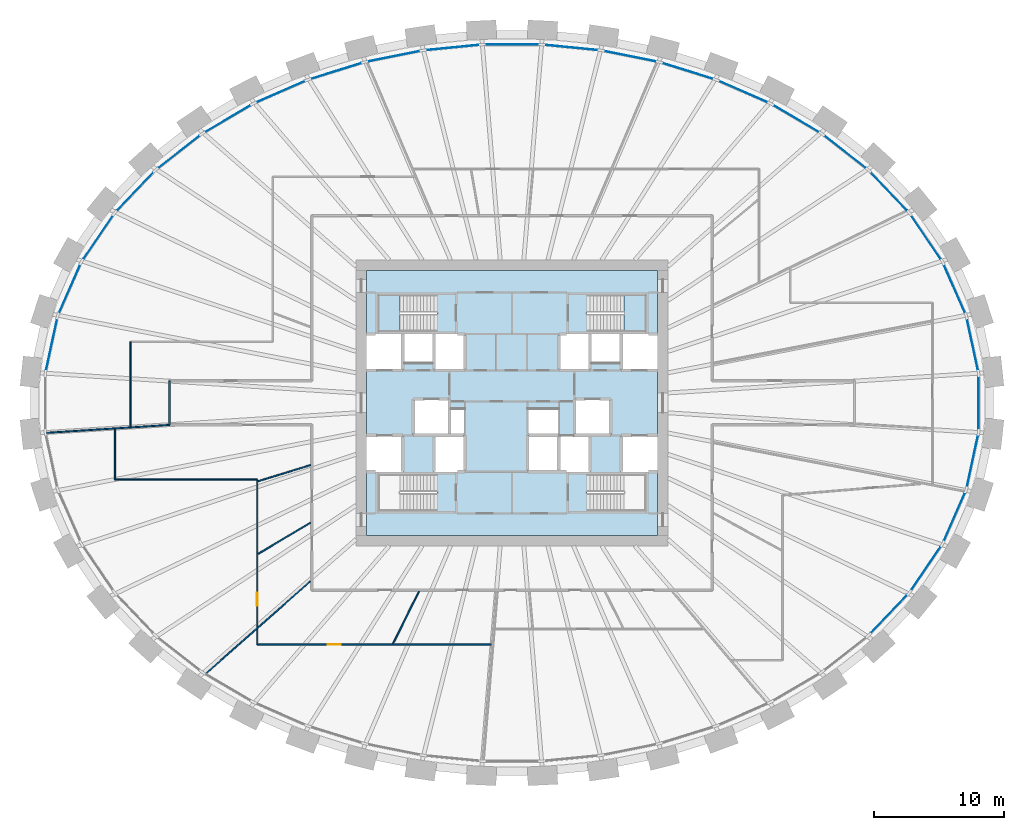
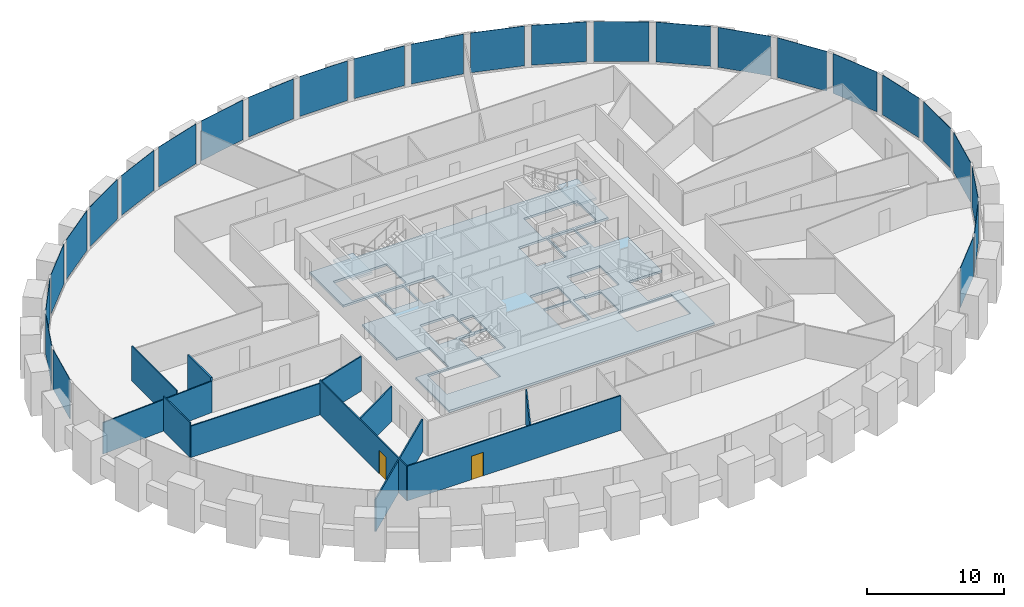
# One storey, part 5 of 10: 26 plates, 11 walls, 3 slabs, 2 doors, 2 openings, 3 elements without a shape of their own.
"""IFC4 building model written with IfcOpenShell, lengths in metres."""

import ifcopenshell
import ifcopenshell.guid

model = None  # the IFC model being written
_history = None  # IfcOwnerHistory: only IFC2X3 demands one
_inside = {}  # id of a spatial element -> (the spatial element, [elements in it])
_under = {}  # id of a project, library or spatial element -> (it, [spatial elements below it])
_declared = {}  # id of a project -> (the project, [libraries it declares])
_typed = {}  # id of a type object -> (the type object, [elements of that type])
_made_of = {}  # id of a material, layer set ... -> (it, [elements and type objects made of it])


def new_model(schema):
    """Start an empty IFC model of exactly this schema.

    Asked for "IFC4X3", IfcOpenShell would pick the latest addendum, in which some entities
    have other attributes; the version numbers below select the first issue.
    IFC2X3 requires an IfcOwnerHistory on every rooted entity: one is made here for all.
    """
    global model, _history
    if schema == "IFC4X3":
        model = ifcopenshell.file(schema_version=(4, 3, 0, 0))
    else:
        model = ifcopenshell.file(schema=schema)
    _inside.clear()
    _under.clear()
    _declared.clear()
    _typed.clear()
    _made_of.clear()
    _history = None
    if model.schema == "IFC2X3":
        org = make("IfcOrganization", Name="unknown")
        user = make(
            "IfcPersonAndOrganization",
            ThePerson=make("IfcPerson", FamilyName="unknown"),
            TheOrganization=org,
        )
        app = make(
            "IfcApplication",
            ApplicationDeveloper=org,
            Version="unknown",
            ApplicationFullName="unknown",
            ApplicationIdentifier="unknown",
        )
        _history = make(
            "IfcOwnerHistory",
            OwningUser=user,
            OwningApplication=app,
            ChangeAction="ADDED",
            CreationDate=0,
        )
    return model


def make(cls, **values):
    """One entity of the class cls with the attributes given. An attribute that is None is left unset."""
    return model.create_entity(
        cls, **{name: value for name, value in values.items() if value is not None}
    )


def rooted(cls, **values):
    """An entity with a GlobalId (a new one), such as an element, a storey or a relation."""
    return make(cls, GlobalId=ifcopenshell.guid.new(), OwnerHistory=_history, **values)


def si_unit(unit_type, name, prefix=None):
    """IfcSIUnit, for example si_unit("LENGTHUNIT", "METRE", prefix="MILLI")."""
    return make("IfcSIUnit", UnitType=unit_type, Prefix=prefix, Name=name)


def assignment(units):
    """IfcUnitAssignment: the units of a project."""
    return None if units is None else make("IfcUnitAssignment", Units=units)


def point(xyz):
    """IfcCartesianPoint."""
    return None if xyz is None else make("IfcCartesianPoint", Coordinates=xyz)


def direction(xyz):
    """IfcDirection."""
    return None if xyz is None else make("IfcDirection", DirectionRatios=xyz)


def frame(location, z_axis=None, x_axis=None):
    """IfcAxis2Placement3D, a coordinate frame: its origin and axes. An axis left out is left unset."""
    return make(
        "IfcAxis2Placement3D",
        Location=point(location),
        Axis=direction(z_axis),
        RefDirection=direction(x_axis),
    )


def frame_2d(location, x_axis=None):
    """IfcAxis2Placement2D, a coordinate frame in the plane: its origin and x axis."""
    return make(
        "IfcAxis2Placement2D", Location=point(location), RefDirection=direction(x_axis)
    )


def origin():
    """The frame at (0, 0, 0) with its axes left unset."""
    return frame((0.0, 0.0, 0.0))


def origin_2d():
    """The frame at (0, 0) in the plane with its x axis left unset."""
    return frame_2d((0.0, 0.0))


def place(relative_to, where):
    """IfcLocalPlacement: puts the frame where relative to a parent placement (None: the world)."""
    return make(
        "IfcLocalPlacement", PlacementRelTo=relative_to, RelativePlacement=where
    )


def context(
    kind, dimensions, precision=None, world=None, true_north=None, identifier=None
):
    """IfcGeometricRepresentationContext, for example the 3D "Model" context."""
    return make(
        "IfcGeometricRepresentationContext",
        ContextIdentifier=identifier,
        ContextType=kind,
        CoordinateSpaceDimension=dimensions,
        Precision=precision,
        WorldCoordinateSystem=world,
        TrueNorth=true_north,
    )


def subcontext(parent, identifier, kind, view, scale=None):
    """IfcGeometricRepresentationSubContext, for example "Body" below "Model"."""
    return make(
        "IfcGeometricRepresentationSubContext",
        ContextIdentifier=identifier,
        ContextType=kind,
        ParentContext=parent,
        TargetScale=scale,
        TargetView=view,
    )


def project(units=None, contexts=None):
    """IfcProject with its units and contexts."""
    return rooted(
        "IfcProject",
        Name="project",
        RepresentationContexts=contexts,
        UnitsInContext=assignment(units),
    )


def spatial(cls, under=None, at=None, **own):
    """A site, building, storey or space (cls), placed at a placement, below another one or the project."""
    s = rooted(cls, ObjectPlacement=at, **own)
    if under is not None:
        _under.setdefault(under.id(), (under, []))[1].append(s)
    return s


def polyline(points):
    """IfcPolyline through the points."""
    return make("IfcPolyline", Points=[point(p) for p in points])


def profile(cls, at=None, kind="AREA", **sizes):
    """A parametric profile (cls). Its sizes go by their IFC names, for example OverallWidth=200.0."""
    return make(cls, ProfileType=kind, Position=at, **sizes)


def rectangle(**sizes):
    """IfcRectangleProfileDef."""
    return profile("IfcRectangleProfileDef", **sizes)


def outline(outer, holes=None, kind="AREA"):
    """IfcArbitraryClosedProfileDef: a profile drawn as a closed curve; with holes, ...WithVoids."""
    if holes is None:
        return make("IfcArbitraryClosedProfileDef", ProfileType=kind, OuterCurve=outer)
    return make(
        "IfcArbitraryProfileDefWithVoids",
        ProfileType=kind,
        OuterCurve=outer,
        InnerCurves=holes,
    )


def extrude(swept, where, along, depth):
    """IfcExtrudedAreaSolid: the profile swept, set in the frame where, extruded along a direction by depth."""
    return make(
        "IfcExtrudedAreaSolid",
        SweptArea=swept,
        Position=where,
        ExtrudedDirection=direction(along),
        Depth=depth,
    )


def shape(context_of_items, identifier, shape_type, items):
    """IfcShapeRepresentation: the items that make up one representation, for example the "Body"."""
    return make(
        "IfcShapeRepresentation",
        ContextOfItems=context_of_items,
        RepresentationIdentifier=identifier,
        RepresentationType=shape_type,
        Items=items,
    )


def source(mapping_origin, context_of_items, identifier, shape_type, items):
    """IfcRepresentationMap: a shape defined once, which mapped items show again and again."""
    return make(
        "IfcRepresentationMap",
        MappingOrigin=mapping_origin,
        MappedRepresentation=shape(context_of_items, identifier, shape_type, items),
    )


def transform(
    local_origin,
    x_axis=None,
    y_axis=None,
    z_axis=None,
    scale=None,
    scale2=None,
    scale3=None,
    uniform=True,
):
    """IfcCartesianTransformationOperator3D, or its non-uniform kind. x_axis, y_axis, z_axis: its Axis1, 2, 3."""
    if uniform:
        return make(
            "IfcCartesianTransformationOperator3D",
            Axis1=direction(x_axis),
            Axis2=direction(y_axis),
            LocalOrigin=point(local_origin),
            Scale=scale,
            Axis3=direction(z_axis),
        )
    return make(
        "IfcCartesianTransformationOperator3DnonUniform",
        Axis1=direction(x_axis),
        Axis2=direction(y_axis),
        LocalOrigin=point(local_origin),
        Scale=scale,
        Axis3=direction(z_axis),
        Scale2=scale2,
        Scale3=scale3,
    )


def mapped(mapping_source, mapping_target):
    """IfcMappedItem: shows the shape of a source again, moved by a transform."""
    return make(
        "IfcMappedItem", MappingSource=mapping_source, MappingTarget=mapping_target
    )


def material(Name=None, Category=None):
    """IfcMaterial."""
    return make("IfcMaterial", Name=Name, Category=Category)


def layer(
    of_material, thickness, ventilated=None, Name=None, Category=None, Priority=None
):
    """IfcMaterialLayer: one layer of a wall or slab, of a material (None: an air gap)."""
    return make(
        "IfcMaterialLayer",
        Material=of_material,
        LayerThickness=thickness,
        IsVentilated=ventilated,
        Name=Name,
        Category=Category,
        Priority=Priority,
    )


def layer_set(layers, Name=None):
    """IfcMaterialLayerSet."""
    return make("IfcMaterialLayerSet", MaterialLayers=layers, LayerSetName=Name)


def made_of(thing, what):
    """Note that an element or type object is made of a material, layer set ...; save() writes the relation."""
    if what is not None:
        _made_of.setdefault(what.id(), (what, []))[1].append(thing)
    return thing


def type_object(cls, material=None, **own):
    """A type object (cls), such as IfcWallType, which elements share."""
    return made_of(rooted(cls, **own), material)


def element(
    cls,
    number,
    at=None,
    inside=None,
    cuts=None,
    type_object=None,
    material=None,
    context=None,
    identifier="Body",
    shape_type=None,
    held_by="IfcProductDefinitionShape",
    body=None,
    shapes=None,
    **own,
):
    """One element of the class cls, such as IfcWall. Its Tag is "e" and its number.

    at: its placement. inside: the storey or other place that contains it. cuts: it is an
    opening in that element (IfcRelVoidsElement). A single representation is given by context,
    identifier, shape_type and body (its items); several are given by shapes. held_by: the class
    of the entity that holds the representations. save() writes the other relations.
    """
    e = rooted(cls, Tag="e%d" % number, ObjectPlacement=at, **own)
    if body is not None:
        shapes = [shape(context, identifier, shape_type, body)]
    if shapes is not None:
        e.Representation = make(held_by, Representations=shapes)
    if inside is not None:
        _inside.setdefault(inside.id(), (inside, []))[1].append(e)
    if cuts is not None:
        rooted(
            "IfcRelVoidsElement", RelatingBuildingElement=cuts, RelatedOpeningElement=e
        )
    if type_object is not None:
        _typed.setdefault(type_object.id(), (type_object, []))[1].append(e)
    return made_of(e, material)


def fill(opening, filler):
    """IfcRelFillsElement: the door or window that sits in an opening."""
    return rooted(
        "IfcRelFillsElement",
        RelatingOpeningElement=opening,
        RelatedBuildingElement=filler,
    )


def aggregate(whole, parts):
    """IfcRelAggregates: a whole, such as a stair, and the parts it consists of."""
    return rooted("IfcRelAggregates", RelatingObject=whole, RelatedObjects=parts)


def save(model, path):
    """Write the relations noted so far, then the file.

    IfcRelAggregates (storeys below a building ...), IfcRelContainedInSpatialStructure (elements
    in a storey), IfcRelDefinesByType, IfcRelAssociatesMaterial and IfcRelDeclares: one each for
    every whole, place, type object, material and project.
    """
    for whole, parts in _under.values():
        aggregate(whole, parts)
    for where, things in _inside.values():
        rooted(
            "IfcRelContainedInSpatialStructure",
            RelatedElements=things,
            RelatingStructure=where,
        )
    for kind, things in _typed.values():
        rooted("IfcRelDefinesByType", RelatedObjects=things, RelatingType=kind)
    for what, things in _made_of.values():
        rooted("IfcRelAssociatesMaterial", RelatedObjects=things, RelatingMaterial=what)
    for by, libraries in _declared.values():
        rooted("IfcRelDeclares", RelatingContext=by, RelatedDefinitions=libraries)
    model.write(path)


model = new_model("IFC4")

# Units and contexts
model_context = context("Model", 3, precision=1e-05, world=origin(), true_north=direction((0.0, 1.0)))
body_context = subcontext(model_context, "Body", "Model", "MODEL_VIEW")
ifc_project = project(units=[si_unit("LENGTHUNIT", "METRE"), si_unit("AREAUNIT", "SQUARE_METRE"), si_unit("VOLUMEUNIT", "CUBIC_METRE"), si_unit("PLANEANGLEUNIT", "RADIAN"), si_unit("MASSUNIT", "GRAM", prefix="KILO")], contexts=[model_context])

# Site, building, storey
site_placement = place(None, origin())
site = spatial("IfcSite", under=ifc_project, at=site_placement, CompositionType="ELEMENT")
building_placement = place(site_placement, origin())
building = spatial("IfcBuilding", under=site, at=building_placement, Name="Embergate Tower", CompositionType="ELEMENT")
storey_placement = place(building_placement, frame((0.0, 0.0, 179.39990234375)))
storey = spatial("IfcBuildingStorey", under=building, at=storey_placement, Name="L40", CompositionType="ELEMENT", Elevation=179.39990234375)

# Curtain wall, plates
ifc_material_1 = material(Name="Aluminium and glass", Category="aluminium")
curtain_wall_type = type_object("IfcCurtainWallType", Name="Recessed office glazing", PredefinedType="NOTDEFINED", material=ifc_material_1)
curtain_wall_placement = place(storey_placement, origin())
curtain_wall = element("IfcCurtainWall", 1, at=curtain_wall_placement, inside=storey, type_object=curtain_wall_type, Name="Recessed office glazing ring", ObjectType="RECESSED OFFICE GLAZING", PredefinedType="USERDEFINED")
ifc_material_2 = material(Name="Triple glazing, low-emissivity coating", Category="glass")
ifc_layer_1 = layer(ifc_material_2, 0.035888671875)
ifc_layer_set_1 = layer_set([ifc_layer_1], Name="Triple glazing, low-emissivity coating")
plate_type = type_object("IfcPlateType", Name="Office glazing unit", PredefinedType="CURTAIN_PANEL", material=ifc_layer_set_1)
shared_shape_1 = source(origin(), body_context, "Body", "SweptSolid", [
    extrude(rectangle(XDim=4.055419921875, YDim=0.035888671875, at=origin_2d()), origin(), (0.0, 0.0, 1.0), 3.550048828125),
])
plate_1_placement = place(storey_placement, frame((13.518798828125, 25.533935546875, 0.14990234375), z_axis=(0.0, 0.0, 1.0), x_axis=(-0.954773255075, 0.29733488089, 0.0)))
plate_1 = element("IfcPlate", 2, at=plate_1_placement, type_object=plate_type, Name="CW panel 8.1", PredefinedType="CURTAIN_PANEL", context=body_context, shape_type="MappedRepresentation", body=[
    mapped(shared_shape_1, transform((0.0, 0.0, 0.0))),
])
plate_2_placement = place(storey_placement, frame((-13.518798828125, 25.533935546875, 0.14990234375), z_axis=(0.0, 0.0, 1.0), x_axis=(-0.954773255075, -0.29733488089, 0.0)))
plate_2 = element("IfcPlate", 3, at=plate_2_placement, type_object=plate_type, Name="CW panel 14.1", PredefinedType="CURTAIN_PANEL", context=body_context, shape_type="MappedRepresentation", body=[
    mapped(shared_shape_1, transform((0.0, 0.0, 0.0))),
])
shared_shape_2 = source(origin(), body_context, "Body", "SweptSolid", [
    extrude(rectangle(XDim=4.009765625, YDim=0.035888671875, at=origin_2d()), origin(), (0.0, 0.0, 1.0), 3.550048828125),
])
plate_3_placement = place(storey_placement, frame((35.423095703125, 4.4775390625, 0.14990234375), z_axis=(0.0, 0.0, 1.0), x_axis=(-0.210401803698, 0.977614996305, 0.0)))
plate_3 = element("IfcPlate", 4, at=plate_3_placement, type_object=plate_type, Name="CW panel 1.1", PredefinedType="CURTAIN_PANEL", context=body_context, shape_type="MappedRepresentation", body=[
    mapped(shared_shape_2, transform((0.0, 0.0, 0.0))),
])
plate_4_placement = place(storey_placement, frame((-35.423095703125, 4.4775390625, 0.14990234375), z_axis=(0.0, 0.0, 1.0), x_axis=(-0.210401803698, -0.977614996305, 0.0)))
plate_4 = element("IfcPlate", 5, at=plate_4_placement, type_object=plate_type, Name="CW panel 21.1", PredefinedType="CURTAIN_PANEL", context=body_context, shape_type="MappedRepresentation", body=[
    mapped(shared_shape_2, transform((0.0, 0.0, 0.0))),
])
plate_5_placement = place(storey_placement, frame((35.423095703125, -4.4775390625, 0.14990234375), z_axis=(0.0, 0.0, 1.0), x_axis=(0.210401803698, 0.977614996305, 0.0)))
plate_5 = element("IfcPlate", 6, at=plate_5_placement, type_object=plate_type, Name="CW panel 43.1", PredefinedType="CURTAIN_PANEL", context=body_context, shape_type="MappedRepresentation", body=[
    mapped(shared_shape_2, transform((0.0, 0.0, 0.0))),
])
shared_shape_3 = source(origin(), body_context, "Body", "SweptSolid", [
    extrude(rectangle(XDim=4.0166015625, YDim=0.035888671875, at=origin_2d()), origin(), (0.0, 0.0, 1.0), 3.550048828125),
])
plate_6_placement = place(storey_placement, frame((34.03564453125, 8.76904296875, 0.14990234375), z_axis=(0.0, 0.0, 1.0), x_axis=(-0.401658494584, 0.915789524797, 0.0)))
plate_6 = element("IfcPlate", 7, at=plate_6_placement, type_object=plate_type, Name="CW panel 2.1", PredefinedType="CURTAIN_PANEL", context=body_context, shape_type="MappedRepresentation", body=[
    mapped(shared_shape_3, transform((0.0, 0.0, 0.0))),
])
plate_7_placement = place(storey_placement, frame((-34.03564453125, 8.76904296875, 0.14990234375), z_axis=(0.0, 0.0, 1.0), x_axis=(-0.401658494584, -0.915789524797, 0.0)))
plate_7 = element("IfcPlate", 8, at=plate_7_placement, type_object=plate_type, Name="CW panel 20.1", PredefinedType="CURTAIN_PANEL", context=body_context, shape_type="MappedRepresentation", body=[
    mapped(shared_shape_3, transform((0.0, 0.0, 0.0))),
])
plate_8_placement = place(storey_placement, frame((34.03564453125, -8.76904296875, 0.14990234375), z_axis=(0.0, 0.0, 1.0), x_axis=(0.401658494584, 0.915789524797, 0.0)))
plate_8 = element("IfcPlate", 9, at=plate_8_placement, type_object=plate_type, Name="CW panel 42.1", PredefinedType="CURTAIN_PANEL", context=body_context, shape_type="MappedRepresentation", body=[
    mapped(shared_shape_3, transform((0.0, 0.0, 0.0))),
])
shared_shape_4 = source(origin(), body_context, "Body", "SweptSolid", [
    extrude(rectangle(XDim=4.025390625, YDim=0.035888671875, at=origin_2d()), origin(), (0.0, 0.0, 1.0), 3.550048828125),
])
plate_9_placement = place(storey_placement, frame((31.846435546875, 12.7255859375, 0.14990234375), z_axis=(0.0, 0.0, 1.0), x_axis=(-0.562347514787, 0.826901005328, 0.0)))
plate_9 = element("IfcPlate", 10, at=plate_9_placement, type_object=plate_type, Name="CW panel 3.1", PredefinedType="CURTAIN_PANEL", context=body_context, shape_type="MappedRepresentation", body=[
    mapped(shared_shape_4, transform((0.0, 0.0, 0.0))),
])
plate_10_placement = place(storey_placement, frame((-31.846435546875, 12.7255859375, 0.14990234375), z_axis=(0.0, 0.0, 1.0), x_axis=(-0.562347514787, -0.826901005328, 0.0)))
plate_10 = element("IfcPlate", 11, at=plate_10_placement, type_object=plate_type, Name="CW panel 19.1", PredefinedType="CURTAIN_PANEL", context=body_context, shape_type="MappedRepresentation", body=[
    mapped(shared_shape_4, transform((0.0, 0.0, 0.0))),
])
plate_11_placement = place(storey_placement, frame((31.846435546875, -12.7255859375, 0.14990234375), z_axis=(0.0, 0.0, 1.0), x_axis=(0.562347514787, 0.826901005328, 0.0)))
plate_11 = element("IfcPlate", 12, at=plate_11_placement, type_object=plate_type, Name="CW panel 41.1", PredefinedType="CURTAIN_PANEL", context=body_context, shape_type="MappedRepresentation", body=[
    mapped(shared_shape_4, transform((0.0, 0.0, 0.0))),
])
shared_shape_5 = source(origin(), body_context, "Body", "SweptSolid", [
    extrude(rectangle(XDim=4.0341796875, YDim=0.035888671875, at=origin_2d()), origin(), (0.0, 0.0, 1.0), 3.550048828125),
])
plate_12_placement = place(storey_placement, frame((28.996826171875, 16.252685546875, 0.14990234375), z_axis=(0.0, 0.0, 1.0), x_axis=(-0.690140099753, 0.723675785634, 0.0)))
plate_12 = element("IfcPlate", 13, at=plate_12_placement, type_object=plate_type, Name="CW panel 4.1", PredefinedType="CURTAIN_PANEL", context=body_context, shape_type="MappedRepresentation", body=[
    mapped(shared_shape_5, transform((0.0, 0.0, 0.0))),
])
plate_13_placement = place(storey_placement, frame((-28.996826171875, 16.252685546875, 0.14990234375), z_axis=(0.0, 0.0, 1.0), x_axis=(-0.690140099753, -0.723675785634, 0.0)))
plate_13 = element("IfcPlate", 14, at=plate_13_placement, type_object=plate_type, Name="CW panel 18.1", PredefinedType="CURTAIN_PANEL", context=body_context, shape_type="MappedRepresentation", body=[
    mapped(shared_shape_5, transform((0.0, 0.0, 0.0))),
])
plate_14_placement = place(storey_placement, frame((28.996826171875, -16.252685546875, 0.14990234375), z_axis=(0.0, 0.0, 1.0), x_axis=(0.690140099753, 0.723675785634, 0.0)))
plate_14 = element("IfcPlate", 15, at=plate_14_placement, type_object=plate_type, Name="CW panel 40.1", PredefinedType="CURTAIN_PANEL", context=body_context, shape_type="MappedRepresentation", body=[
    mapped(shared_shape_5, transform((0.0, 0.0, 0.0))),
])
shared_shape_6 = source(origin(), body_context, "Body", "SweptSolid", [
    extrude(rectangle(XDim=4.04150390625, YDim=0.035888671875, at=origin_2d()), origin(), (0.0, 0.0, 1.0), 3.550048828125),
])
plate_15_placement = place(storey_placement, frame((25.62744140625, 19.3037109375, 0.14990234375), z_axis=(0.0, 0.0, 1.0), x_axis=(-0.788324414597, 0.61525979663, 0.0)))
plate_15 = element("IfcPlate", 16, at=plate_15_placement, type_object=plate_type, Name="CW panel 5.1", PredefinedType="CURTAIN_PANEL", context=body_context, shape_type="MappedRepresentation", body=[
    mapped(shared_shape_6, transform((0.0, 0.0, 0.0))),
])
plate_16_placement = place(storey_placement, frame((-25.62744140625, 19.3037109375, 0.14990234375), z_axis=(0.0, 0.0, 1.0), x_axis=(-0.788324414597, -0.61525979663, 0.0)))
plate_16 = element("IfcPlate", 17, at=plate_16_placement, type_object=plate_type, Name="CW panel 17.1", PredefinedType="CURTAIN_PANEL", context=body_context, shape_type="MappedRepresentation", body=[
    mapped(shared_shape_6, transform((0.0, 0.0, 0.0))),
])
shared_shape_7 = source(origin(), body_context, "Body", "SweptSolid", [
    extrude(rectangle(XDim=4.047607421875, YDim=0.035888671875, at=origin_2d()), origin(), (0.0, 0.0, 1.0), 3.550048828125),
])
plate_17_placement = place(storey_placement, frame((21.86083984375, 21.864501953125, 0.14990234375), z_axis=(0.0, 0.0, 1.0), x_axis=(-0.862055821492, 0.506813339043, 0.0)))
plate_17 = element("IfcPlate", 18, at=plate_17_placement, type_object=plate_type, Name="CW panel 6.1", PredefinedType="CURTAIN_PANEL", context=body_context, shape_type="MappedRepresentation", body=[
    mapped(shared_shape_7, transform((0.0, 0.0, 0.0))),
])
plate_18_placement = place(storey_placement, frame((-21.86083984375, 21.864501953125, 0.14990234375), z_axis=(0.0, 0.0, 1.0), x_axis=(-0.862055821492, -0.506813339043, 0.0)))
plate_18 = element("IfcPlate", 19, at=plate_18_placement, type_object=plate_type, Name="CW panel 16.1", PredefinedType="CURTAIN_PANEL", context=body_context, shape_type="MappedRepresentation", body=[
    mapped(shared_shape_7, transform((0.0, 0.0, 0.0))),
])
shared_shape_8 = source(origin(), body_context, "Body", "SweptSolid", [
    extrude(rectangle(XDim=4.052001953125, YDim=0.035888671875, at=origin_2d()), origin(), (0.0, 0.0, 1.0), 3.550048828125),
])
plate_19_placement = place(storey_placement, frame((17.797607421875, 23.937744140625, 0.14990234375), z_axis=(0.0, 0.0, 1.0), x_axis=(-0.916238309467, 0.400633698365, 0.0)))
plate_19 = element("IfcPlate", 20, at=plate_19_placement, type_object=plate_type, Name="CW panel 7.1", PredefinedType="CURTAIN_PANEL", context=body_context, shape_type="MappedRepresentation", body=[
    mapped(shared_shape_8, transform((0.0, 0.0, 0.0))),
])
plate_20_placement = place(storey_placement, frame((-17.797607421875, 23.937744140625, 0.14990234375), z_axis=(0.0, 0.0, 1.0), x_axis=(-0.916238309467, -0.400633698365, 0.0)))
plate_20 = element("IfcPlate", 21, at=plate_20_placement, type_object=plate_type, Name="CW panel 15.1", PredefinedType="CURTAIN_PANEL", context=body_context, shape_type="MappedRepresentation", body=[
    mapped(shared_shape_8, transform((0.0, 0.0, 0.0))),
])
shared_shape_9 = source(origin(), body_context, "Body", "SweptSolid", [
    extrude(rectangle(XDim=4.0576171875, YDim=0.035888671875, at=origin_2d()), origin(), (0.0, 0.0, 1.0), 3.550048828125),
])
plate_21_placement = place(storey_placement, frame((9.090576171875, 26.6640625, 0.14990234375), z_axis=(0.0, 0.0, 1.0), x_axis=(-0.980476250608, 0.196637539636, 0.0)))
plate_21 = element("IfcPlate", 22, at=plate_21_placement, type_object=plate_type, Name="CW panel 9.1", PredefinedType="CURTAIN_PANEL", context=body_context, shape_type="MappedRepresentation", body=[
    mapped(shared_shape_9, transform((0.0, 0.0, 0.0))),
])
plate_22_placement = place(storey_placement, frame((-9.090576171875, 26.6640625, 0.14990234375), z_axis=(0.0, 0.0, 1.0), x_axis=(-0.980476250608, -0.196637539636, 0.0)))
plate_22 = element("IfcPlate", 23, at=plate_22_placement, type_object=plate_type, Name="CW panel 13.1", PredefinedType="CURTAIN_PANEL", context=body_context, shape_type="MappedRepresentation", body=[
    mapped(shared_shape_9, transform((0.0, 0.0, 0.0))),
])
shared_shape_10 = source(origin(), body_context, "Body", "SweptSolid", [
    extrude(rectangle(XDim=4.058837890625, YDim=0.035888671875, at=origin_2d()), origin(), (0.0, 0.0, 1.0), 3.550048828125),
])
plate_23_placement = place(storey_placement, frame((4.568115234375, 27.338134765625, 0.14990234375), z_axis=(0.0, 0.0, 1.0), x_axis=(-0.995203355531, 0.09782781373, 0.0)))
plate_23 = element("IfcPlate", 24, at=plate_23_placement, type_object=plate_type, Name="CW panel 10.1", PredefinedType="CURTAIN_PANEL", context=body_context, shape_type="MappedRepresentation", body=[
    mapped(shared_shape_10, transform((0.0, 0.0, 0.0))),
])
plate_24_placement = place(storey_placement, frame((-4.568115234375, 27.338134765625, 0.14990234375), z_axis=(0.0, 0.0, 1.0), x_axis=(-0.995203355531, -0.09782781373, 0.0)))
plate_24 = element("IfcPlate", 25, at=plate_24_placement, type_object=plate_type, Name="CW panel 12.1", PredefinedType="CURTAIN_PANEL", context=body_context, shape_type="MappedRepresentation", body=[
    mapped(shared_shape_10, transform((0.0, 0.0, 0.0))),
])
shared_shape_11 = source(origin(), body_context, "Body", "SweptSolid", [
    extrude(rectangle(XDim=4.05908203125, YDim=0.035888671875, at=origin_2d()), origin(), (0.0, 0.0, 1.0), 3.550048828125),
])
plate_25_placement = place(storey_placement, frame((0.0, 27.56201171875, 0.14990234375), z_axis=(0.0, 0.0, 1.0), x_axis=(-1.0, 0.0, 0.0)))
plate_25 = element("IfcPlate", 26, at=plate_25_placement, type_object=plate_type, Name="CW panel 11.1", PredefinedType="CURTAIN_PANEL", context=body_context, shape_type="MappedRepresentation", body=[
    mapped(shared_shape_11, transform((0.0, 0.0, 0.0))),
])
shared_shape_12 = source(origin(), body_context, "Body", "SweptSolid", [
    extrude(rectangle(XDim=4.007080078125, YDim=0.035888671875, at=origin_2d()), origin(), (0.0, 0.0, 1.0), 3.550048828125),
])
plate_26_placement = place(storey_placement, frame((35.899658203125, 0.0, 0.14990234375), z_axis=(0.0, 0.0, 1.0), x_axis=(0.0, 1.0, 0.0)))
plate_26 = element("IfcPlate", 27, at=plate_26_placement, type_object=plate_type, Name="CW panel 44.1", PredefinedType="CURTAIN_PANEL", context=body_context, shape_type="MappedRepresentation", body=[
    mapped(shared_shape_12, transform((0.0, 0.0, 0.0))),
])
aggregate(curtain_wall, [plate_3, plate_6, plate_9, plate_12, plate_15, plate_17, plate_19, plate_1, plate_21, plate_23, plate_25, plate_24, plate_22, plate_2, plate_20, plate_18, plate_16, plate_13, plate_10, plate_7, plate_4, plate_14, plate_11, plate_8, plate_5, plate_26])

# Stair, slab
ifc_material_3 = material(Name="Exit stair")
stair_type = type_object("IfcStairType", Name="Exit stair", PredefinedType="HALF_TURN_STAIR", material=ifc_material_3)
stair_1_placement = place(storey_placement, origin())
stair_1 = element("IfcStair", 28, at=stair_1_placement, inside=storey, type_object=stair_type, Name="L40 Exit stair 1", PredefinedType="HALF_TURN_STAIR")
ifc_material_4 = material(Name="Concrete C40", Category="concrete")
ifc_layer_2 = layer(ifc_material_4, 0.199951171875)
ifc_layer_set_2 = layer_set([ifc_layer_2], Name="Concrete C40")
slab_type_1 = type_object("IfcSlabType", Name="Stair landing reinforced concrete", PredefinedType="LANDING", material=ifc_layer_set_2)
shared_shape_13 = source(origin(), body_context, "Body", "SweptSolid", [
    extrude(outline(polyline([(0.0, 0.0), (1.68994140625, 0.0), (1.68994140625, 2.800048828125), (0.0, 2.800048828125), (0.0, 0.0)])), origin(), (0.0, 0.0, 1.0), 0.2001953125),
])
slab_1_placement = place(storey_placement, frame((-10.300048828125, 5.5, 1.75)))
slab_1 = element("IfcSlab", 29, at=slab_1_placement, type_object=slab_type_1, Name="ST1 landing 1", PredefinedType="LANDING", context=body_context, shape_type="MappedRepresentation", body=[
    mapped(shared_shape_13, transform((0.0, 0.0, 0.0))),
])
aggregate(stair_1, [slab_1])

stair_2_placement = place(storey_placement, origin())
stair_2 = element("IfcStair", 30, at=stair_2_placement, inside=storey, type_object=stair_type, Name="L40 Exit stair 2", PredefinedType="HALF_TURN_STAIR")
slab_2_placement = place(storey_placement, frame((8.610107421875, 5.5, 1.75)))
slab_2 = element("IfcSlab", 31, at=slab_2_placement, type_object=slab_type_1, Name="ST2 landing 1", PredefinedType="LANDING", context=body_context, shape_type="MappedRepresentation", body=[
    mapped(shared_shape_13, transform((0.0, 0.0, 0.0))),
])
aggregate(stair_2, [slab_2])

# Slab
ifc_layer_3 = layer(ifc_material_4, 0.199951171875)
ifc_layer_set_3 = layer_set([ifc_layer_3], Name="Concrete C40")
slab_type_2 = type_object("IfcSlabType", Name="Core floor slab 200 reinforced concrete", PredefinedType="FLOOR", material=ifc_layer_set_3)
shared_shape_14 = source(origin(), body_context, "Body", "SweptSolid", [
    extrude(outline(polyline([(0.0, 0.0), (22.39990234375, 0.0), (22.39990234375, 4.89990234375), (19.599853515625, 4.89990234375), (19.599853515625, 7.699951171875), (22.39990234375, 7.699951171875), (22.39990234375, 12.699951171875), (19.599853515625, 12.699951171875), (19.599853515625, 15.5), (22.39990234375, 15.5), (22.39990234375, 20.39990234375), (0.0, 20.39990234375), (0.0, 15.5), (2.800048828125, 15.5), (2.800048828125, 12.699951171875), (0.0, 12.699951171875), (0.0, 7.699951171875), (2.800048828125, 7.699951171875), (2.800048828125, 4.89990234375), (0.0, 4.89990234375), (0.0, 0.0)]), holes=[polyline([(0.89990234375, 1.89990234375), (0.89990234375, 4.699951171875), (5.43994140625, 4.699951171875), (5.43994140625, 1.89990234375), (0.89990234375, 1.89990234375)]), polyline([(16.9599609375, 1.89990234375), (16.9599609375, 4.699951171875), (21.5, 4.699951171875), (21.5, 1.89990234375), (16.9599609375, 1.89990234375)]), polyline([(5.199951171875, 4.89990234375), (5.199951171875, 7.574951171875), (6.52490234375, 7.574951171875), (6.52490234375, 7.699951171875), (7.599853515625, 7.699951171875), (7.599853515625, 4.89990234375), (5.199951171875, 4.89990234375)]), polyline([(12.39990234375, 4.89990234375), (12.39990234375, 7.699951171875), (14.675048828125, 7.699951171875), (14.675048828125, 4.89990234375), (12.39990234375, 4.89990234375)]), polyline([(14.925048828125, 4.89990234375), (14.925048828125, 7.699951171875), (15.875, 7.699951171875), (15.875, 7.574951171875), (17.199951171875, 7.574951171875), (17.199951171875, 4.89990234375), (14.925048828125, 4.89990234375)]), polyline([(3.599853515625, 7.699951171875), (3.599853515625, 10.5), (6.39990234375, 10.5), (6.39990234375, 7.824951171875), (5.074951171875, 7.824951171875), (5.074951171875, 7.699951171875), (3.599853515625, 7.699951171875)]), polyline([(17.324951171875, 7.699951171875), (17.324951171875, 7.824951171875), (16.0, 7.824951171875), (16.0, 10.5), (18.800048828125, 10.5), (18.800048828125, 7.699951171875), (17.324951171875, 7.699951171875)]), polyline([(6.52490234375, 7.824951171875), (6.52490234375, 9.699951171875), (7.599853515625, 9.699951171875), (7.599853515625, 7.824951171875), (6.52490234375, 7.824951171875)]), polyline([(12.39990234375, 7.824951171875), (12.39990234375, 9.699951171875), (14.800048828125, 9.699951171875), (14.800048828125, 7.824951171875), (14.675048828125, 7.824951171875), (12.39990234375, 7.824951171875)]), polyline([(5.199951171875, 12.699951171875), (5.199951171875, 15.5), (7.599853515625, 15.5), (7.599853515625, 12.699951171875), (5.199951171875, 12.699951171875)]), polyline([(14.800048828125, 12.699951171875), (14.800048828125, 15.5), (17.199951171875, 15.5), (17.199951171875, 12.699951171875), (14.800048828125, 12.699951171875)]), polyline([(2.925048828125, 13.300048828125), (2.925048828125, 15.5), (5.074951171875, 15.5), (5.074951171875, 13.300048828125), (2.925048828125, 13.300048828125)]), polyline([(17.324951171875, 13.300048828125), (17.324951171875, 15.5), (19.474853515625, 15.5), (19.474853515625, 13.300048828125), (17.324951171875, 13.300048828125)]), polyline([(0.89990234375, 15.699951171875), (0.89990234375, 18.5), (5.43994140625, 18.5), (5.43994140625, 15.699951171875), (0.89990234375, 15.699951171875)]), polyline([(16.9599609375, 15.699951171875), (16.9599609375, 18.5), (21.5, 18.5), (21.5, 15.699951171875), (16.9599609375, 15.699951171875)])]), origin(), (0.0, 0.0, 1.0), 0.199951171875),
])
slab_3_placement = place(storey_placement, frame((-11.199951171875, -10.199951171875, -0.199951171875)))
element("IfcSlab", 32, at=slab_3_placement, inside=storey, type_object=slab_type_2, Name="Core floor slab", PredefinedType="FLOOR", context=body_context, shape_type="MappedRepresentation", body=[
    mapped(shared_shape_14, transform((0.0, 0.0, 0.0))),
])

# Walls
ifc_material_5 = material(Name="Partition dry-lined 100")
ifc_layer_4 = layer(ifc_material_5, 0.10009765625)
ifc_layer_set_4 = layer_set([ifc_layer_4], Name="Partition dry-lined 100")
wall_type_1 = type_object("IfcWallType", Name="Partition dry-lined 100", PredefinedType="PARTITIONING", material=ifc_layer_set_4)
shared_shape_15 = source(origin(), body_context, "Body", "SweptSolid", [
    extrude(rectangle(XDim=10.949951171875, YDim=0.10009765625, at=frame_2d((5.47509765625, 0.0))), origin(), (0.0, 0.0, 1.0), 2.800048828125),
])
wall_1_placement = place(storey_placement, frame((-19.60009765625, -5.89990234375, 0.0), z_axis=(0.0, 0.0, 1.0), x_axis=(-1.0, 0.0, 0.0)))
element("IfcWall", 33, at=wall_1_placement, inside=storey, type_object=wall_type_1, Name="IP-1 wall", PredefinedType="PARTITIONING", context=body_context, shape_type="MappedRepresentation", body=[
    mapped(shared_shape_15, transform((0.0, 0.0, 0.0))),
])
ifc_material_6 = material(Name="Corridor wall dry-lined 150")
ifc_layer_5 = layer(ifc_material_6, 0.14990234375)
ifc_layer_set_5 = layer_set([ifc_layer_5], Name="Corridor wall dry-lined 150")
wall_type_2 = type_object("IfcWallType", Name="Corridor wall dry-lined 150", PredefinedType="PARTITIONING", material=ifc_layer_set_5)
shared_shape_16 = source(origin(), body_context, "Body", "SweptSolid", [
    extrude(rectangle(XDim=3.39697265625, YDim=0.14990234375, at=frame_2d((1.698486328125, 0.0))), origin(), (0.0, 0.0, 1.0), 3.10009765625),
])
wall_2_placement = place(storey_placement, frame((-26.35009765625, -1.697021484375, 0.0), z_axis=(0.0, 0.0, 1.0), x_axis=(0.0, 1.0, 0.0)))
element("IfcWall", 34, at=wall_2_placement, inside=storey, type_object=wall_type_2, Name="IP-2 wall", PredefinedType="PARTITIONING", context=body_context, shape_type="MappedRepresentation", body=[
    mapped(shared_shape_16, transform((0.0, 0.0, 0.0))),
])
shared_shape_17 = source(origin(), body_context, "Body", "SweptSolid", [
    extrude(rectangle(XDim=4.233154296875, YDim=0.10009765625, at=frame_2d((2.11669921875, 0.0))), origin(), (0.0, 0.0, 1.0), 3.10009765625),
])
wall_3_placement = place(storey_placement, frame((-15.489990234375, -4.781005859375, 0.0), z_axis=(0.0, 0.0, 1.0), x_axis=(-0.955549267273, -0.294831473582, 0.0)))
element("IfcWall", 35, at=wall_3_placement, inside=storey, type_object=wall_type_1, Name="IP-1 wall", PredefinedType="PARTITIONING", context=body_context, shape_type="MappedRepresentation", body=[
    mapped(shared_shape_17, transform((0.0, 0.0, 0.0))),
])

# Wall, opening, door
shared_shape_18 = source(origin(), body_context, "Body", "SweptSolid", [
    extrude(rectangle(XDim=12.7001953125, YDim=0.10009765625, at=frame_2d((6.35009765625, 0.0))), origin(), (0.0, 0.0, 1.0), 3.10009765625),
])
wall_4_placement = place(storey_placement, frame((-19.60009765625, -18.60009765625, 0.0), z_axis=(0.0, 0.0, 1.0), x_axis=(0.0, 1.0, 0.0)))
wall_4 = element("IfcWall", 36, at=wall_4_placement, inside=storey, type_object=wall_type_1, Name="IP-1 wall", PredefinedType="PARTITIONING", context=body_context, shape_type="MappedRepresentation", body=[
    mapped(shared_shape_18, transform((0.0, 0.0, 0.0))),
])
shared_shape_19 = source(origin(), body_context, "Body", "SweptSolid", [
    extrude(rectangle(XDim=1.0, YDim=2.10009765625, at=frame_2d((0.5, 1.050048828125))), frame((0.0, 0.06005859375, 0.0), z_axis=(0.0, -1.0, 0.0), x_axis=(1.0, 0.0, 0.0)), (0.0, 0.0, 1.0), 0.1201171875),
])
opening_1_placement = place(wall_4_placement, frame((2.989990234375, 0.0, 0.0)))
opening_1 = element("IfcOpeningElement", 37, at=opening_1_placement, cuts=wall_4, Name="Opening ID-2", PredefinedType="OPENING", context=body_context, shape_type="MappedRepresentation", body=[
    mapped(shared_shape_19, transform((0.0, 0.0, 0.0))),
])
ifc_material_7 = material(Name="Interior door 1000")
door_type = type_object("IfcDoorType", Name="Interior door 1000", OperationType="SINGLE_SWING_LEFT", PredefinedType="DOOR", material=ifc_material_7)
shared_shape_20 = source(origin(), body_context, "Body", "SweptSolid", [
    extrude(rectangle(XDim=1.0, YDim=2.10009765625, at=frame_2d((0.5, 1.050048828125))), frame((0.0, 0.02490234375, 0.0), z_axis=(0.0, -1.0, 0.0), x_axis=(1.0, 0.0, 0.0)), (0.0, 0.0, 1.0), 0.050048828125),
])
door_1_placement = place(opening_1_placement, origin())
door_1 = element("IfcDoor", 38, at=door_1_placement, inside=storey, type_object=door_type, Name="ID-2 door", OperationType="SINGLE_SWING_LEFT", OverallHeight=2.10009765625, OverallWidth=1.0, PredefinedType="DOOR", context=body_context, shape_type="MappedRepresentation", body=[
    mapped(shared_shape_20, transform((0.0, 0.0, 0.0))),
])
fill(opening_1, door_1)

# Walls
shared_shape_21 = source(origin(), body_context, "Body", "SweptSolid", [
    extrude(rectangle(XDim=3.8828125, YDim=0.10009765625, at=frame_2d((1.94140625, 0.0))), origin(), (0.0, 0.0, 1.0), 3.10009765625),
])
wall_5_placement = place(storey_placement, frame((-30.550048828125, -5.89990234375, 0.0), z_axis=(0.0, 0.0, 1.0), x_axis=(0.0, 1.0, 0.0)))
element("IfcWall", 39, at=wall_5_placement, inside=storey, type_object=wall_type_1, Name="IP-1 wall", PredefinedType="PARTITIONING", context=body_context, shape_type="MappedRepresentation", body=[
    mapped(shared_shape_21, transform((0.0, 0.0, 0.0))),
])
shared_shape_22 = source(origin(), body_context, "Body", "SweptSolid", [
    extrude(rectangle(XDim=9.552734375, YDim=0.10009765625, at=frame_2d((4.7763671875, 0.0))), origin(), (0.0, 0.0, 1.0), 2.800048828125),
])
wall_6_placement = place(storey_placement, frame((-26.35009765625, -1.697021484375, 0.0), z_axis=(0.0, 0.0, 1.0), x_axis=(-0.997932136259, -0.064276367524, 0.0)))
element("IfcWall", 40, at=wall_6_placement, inside=storey, type_object=wall_type_1, Name="IP-1 wall", PredefinedType="PARTITIONING", context=body_context, shape_type="MappedRepresentation", body=[
    mapped(shared_shape_22, transform((0.0, 0.0, 0.0))),
])
shared_shape_23 = source(origin(), body_context, "Body", "SweptSolid", [
    extrude(rectangle(XDim=4.680908203125, YDim=0.10009765625, at=frame_2d((2.34033203125, 0.0))), origin(), (0.0, 0.0, 1.0), 3.10009765625),
])
wall_7_placement = place(storey_placement, frame((-15.5009765625, -9.219970703125, 0.0), z_axis=(0.0, 0.0, 1.0), x_axis=(-0.859438032727, -0.511239931835, 0.0)))
element("IfcWall", 41, at=wall_7_placement, inside=storey, type_object=wall_type_1, Name="IP-1 wall", PredefinedType="PARTITIONING", context=body_context, shape_type="MappedRepresentation", body=[
    mapped(shared_shape_23, transform((0.0, 0.0, 0.0))),
])
shared_shape_24 = source(origin(), body_context, "Body", "SweptSolid", [
    extrude(rectangle(XDim=4.495849609375, YDim=0.10009765625, at=frame_2d((2.248046875, 0.0))), origin(), (0.0, 0.0, 1.0), 3.10009765625),
])
wall_8_placement = place(storey_placement, frame((-7.159912109375, -14.4970703125, 0.0), z_axis=(0.0, 0.0, 1.0), x_axis=(-0.442842293257, -0.896599522252, 0.0)))
element("IfcWall", 42, at=wall_8_placement, inside=storey, type_object=wall_type_1, Name="IP-1 wall", PredefinedType="PARTITIONING", context=body_context, shape_type="MappedRepresentation", body=[
    mapped(shared_shape_24, transform((0.0, 0.0, 0.0))),
])

# Wall, opening, door
shared_shape_25 = source(origin(), body_context, "Body", "SweptSolid", [
    extrude(rectangle(XDim=18.030029296875, YDim=0.10009765625, at=frame_2d((9.01513671875, 0.0))), origin(), (0.0, 0.0, 1.0), 3.10009765625),
])
wall_9_placement = place(storey_placement, frame((-1.570068359375, -18.60009765625, 0.0), z_axis=(0.0, 0.0, 1.0), x_axis=(-1.0, 0.0, 0.0)))
wall_9 = element("IfcWall", 43, at=wall_9_placement, inside=storey, type_object=wall_type_1, Name="IP-1 wall", PredefinedType="PARTITIONING", context=body_context, shape_type="MappedRepresentation", body=[
    mapped(shared_shape_25, transform((0.0, 0.0, 0.0))),
])
opening_2_placement = place(wall_9_placement, frame((11.61767578125, 0.0, 0.0)))
opening_2 = element("IfcOpeningElement", 44, at=opening_2_placement, cuts=wall_9, Name="Opening ID-2", PredefinedType="OPENING", context=body_context, shape_type="MappedRepresentation", body=[
    mapped(shared_shape_19, transform((0.0, 0.0, 0.0))),
])
door_2_placement = place(opening_2_placement, origin())
door_2 = element("IfcDoor", 45, at=door_2_placement, inside=storey, type_object=door_type, Name="ID-2 door", OperationType="SINGLE_SWING_RIGHT", OverallHeight=2.10009765625, OverallWidth=1.0, PredefinedType="DOOR", context=body_context, shape_type="MappedRepresentation", body=[
    mapped(shared_shape_20, transform((0.0, 0.0, 0.0))),
])
fill(opening_2, door_2)

# Walls
shared_shape_26 = source(origin(), body_context, "Body", "SweptSolid", [
    extrude(rectangle(XDim=6.5400390625, YDim=0.10009765625, at=frame_2d((3.27001953125, 0.0))), origin(), (0.0, 0.0, 1.0), 3.10009765625),
])
wall_10_placement = place(storey_placement, frame((-29.35009765625, 4.699951171875, 0.0), z_axis=(0.0, 0.0, 1.0), x_axis=(0.0, -1.0, 0.0)))
element("IfcWall", 46, at=wall_10_placement, inside=storey, type_object=wall_type_1, Name="IP-1 wall", PredefinedType="PARTITIONING", context=body_context, shape_type="MappedRepresentation", body=[
    mapped(shared_shape_26, transform((0.0, 0.0, 0.0))),
])
shared_shape_27 = source(origin(), body_context, "Body", "SweptSolid", [
    extrude(rectangle(XDim=10.775146484375, YDim=0.10009765625, at=frame_2d((5.3876953125, 0.0))), origin(), (0.0, 0.0, 1.0), 2.900146484375),
])
wall_11_placement = place(storey_placement, frame((-23.5791015625, -20.85693359375, 0.0), z_axis=(0.0, 0.0, 1.0), x_axis=(0.749035915734, 0.662529393266, 0.0)))
element("IfcWall", 47, at=wall_11_placement, inside=storey, type_object=wall_type_1, Name="IP-1 wall", PredefinedType="PARTITIONING", context=body_context, shape_type="MappedRepresentation", body=[
    mapped(shared_shape_27, transform((0.0, 0.0, 0.0))),
])

save(model, "model.ifc")
